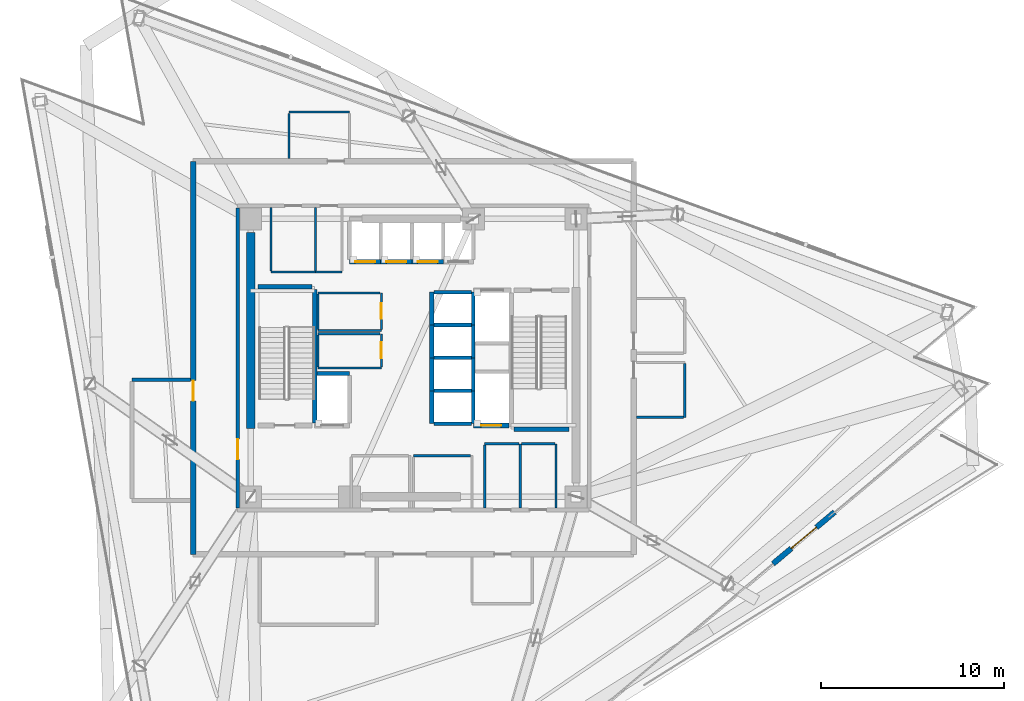
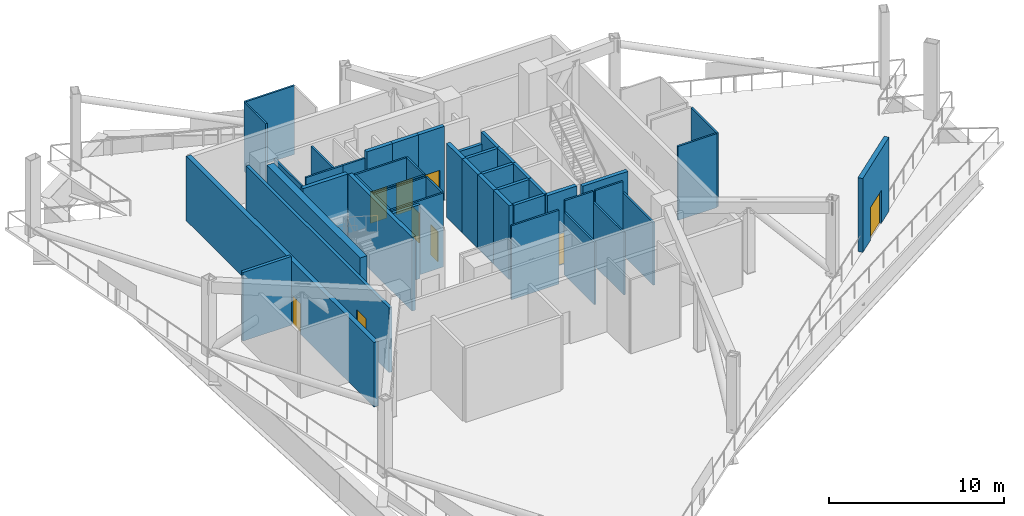
# One storey, part 7 of 15: 48 walls, 9 doors, 9 openings.
"""IFC4 building model written with IfcOpenShell, lengths in metres."""

from ifc_helpers import new_model, si_unit, direction, frame, frame_2d, origin, place, context, subcontext, project, spatial, rectangle, extrude, material, layer, layer_set, type_object, element, fill, save


model = new_model("IFC4")

# Units and contexts
model_context = context("Model", 3, precision=1e-05, world=origin(), true_north=direction((0.0, 1.0)))
body_context = subcontext(model_context, "Body", "Model", "MODEL_VIEW")
ifc_project = project(units=[si_unit("LENGTHUNIT", "METRE"), si_unit("AREAUNIT", "SQUARE_METRE"), si_unit("VOLUMEUNIT", "CUBIC_METRE"), si_unit("PLANEANGLEUNIT", "RADIAN"), si_unit("MASSUNIT", "GRAM", prefix="KILO")], contexts=[model_context])

# Site, building, storey
site_placement = place(None, origin())
site = spatial("IfcSite", under=ifc_project, at=site_placement, CompositionType="ELEMENT")
building_placement = place(site_placement, origin())
building = spatial("IfcBuilding", under=site, at=building_placement, Name="Tharavind Bronze Gate", CompositionType="ELEMENT")
storey_placement = place(building_placement, frame((0.0, 0.0, 165.14990234375)))
storey = spatial("IfcBuildingStorey", under=building, at=storey_placement, Name="L42", CompositionType="ELEMENT", Elevation=165.14990234375)

# Wall, opening, door
ifc_material_1 = material(Name="Concrete C40/50", Category="concrete")
ifc_layer_1 = layer(ifc_material_1, 0.300048828125)
ifc_layer_set_1 = layer_set([ifc_layer_1], Name="Concrete C40/50")
wall_type_1 = type_object("IfcWallType", Name="EXTERIOR SPANDREL WALL 300", PredefinedType="STANDARD", material=ifc_layer_set_1)
wall_1_placement = place(storey_placement, frame((-12.050048828125, 10.75, 0.0), z_axis=(0.0, 0.0, 1.0), x_axis=(0.0, -1.0, 0.0)))
wall_1 = element("IfcWall", 1, at=wall_1_placement, inside=storey, type_object=wall_type_1, Name="L42 open wind floor core enclosure wall 4", PredefinedType="STANDARD", context=body_context, shape_type="SweptSolid", body=[
    extrude(rectangle(XDim=21.5, YDim=0.300048828125, at=frame_2d((10.75, 0.0))), origin(), (0.0, 0.0, 1.0), 4.51513671875),
])
opening_1_placement = place(wall_1_placement, frame((12.0, 0.0, 0.0)))
opening_1 = element("IfcOpeningElement", 2, at=opening_1_placement, cuts=wall_1, Name="Opening ID01", PredefinedType="OPENING", context=body_context, shape_type="SweptSolid", body=[
    extrude(rectangle(XDim=1.10009765625, YDim=2.14990234375, at=frame_2d((0.550048828125, 1.074951171875))), frame((0.0, 0.15990234375, 0.0), z_axis=(0.0, -1.0, 0.0), x_axis=(1.0, 0.0, 0.0)), (0.0, 0.0, 1.0), 0.320048828125),
])
ifc_material_2 = material(Name="Fire-Rated Steel", Category="steel")
door_type_1 = type_object("IfcDoorType", Name="STAIR CORE FIRE DOOR 1100X2150", OperationType="SINGLE_SWING_LEFT", PredefinedType="DOOR", material=ifc_material_2)
door_1_placement = place(opening_1_placement, origin())
door_1 = element("IfcDoor", 3, at=door_1_placement, inside=storey, type_object=door_type_1, Name="L42 West Designated Area of Refuge door", OperationType="SINGLE_SWING_LEFT", OverallHeight=2.14990234375, OverallWidth=1.10009765625, PredefinedType="DOOR", context=body_context, shape_type="SweptSolid", body=[
    extrude(rectangle(XDim=1.10009765625, YDim=2.14990234375, at=frame_2d((0.550048828125, 1.074951171875))), frame((0.0, 0.02490234375, 0.0), z_axis=(0.0, -1.0, 0.0), x_axis=(1.0, 0.0, 0.0)), (0.0, 0.0, 1.0), 0.050048828125),
])
fill(opening_1, door_1)

wall_2_placement = place(storey_placement, frame((19.6767578125, -11.264404296875, 0.0), z_axis=(0.0, 0.0, 1.0), x_axis=(0.766033774262, 0.642800324121, 0.0)))
wall_2 = element("IfcWall", 4, at=wall_2_placement, inside=storey, type_object=wall_type_1, Name="L42 sky garden portal wall", PredefinedType="STANDARD", context=body_context, shape_type="SweptSolid", body=[
    extrude(rectangle(XDim=4.400146484375, YDim=0.300048828125, at=frame_2d((2.2001953125, 0.0))), origin(), (0.0, 0.0, 1.0), 5.170166015625),
])
opening_2_placement = place(wall_2_placement, frame((1.300048828125, 0.0, 0.0)))
opening_2 = element("IfcOpeningElement", 5, at=opening_2_placement, cuts=wall_2, Name="Opening ED03", PredefinedType="OPENING", context=body_context, shape_type="SweptSolid", body=[
    extrude(rectangle(XDim=1.800048828125, YDim=2.300048828125, at=frame_2d((0.89990234375, 1.14990234375))), frame((0.0, 0.15990234375, 0.0), z_axis=(0.0, -1.0, 0.0), x_axis=(1.0, 0.0, 0.0)), (0.0, 0.0, 1.0), 0.320048828125),
])
ifc_material_3 = material(Name="Bronze Aluminium & Toughened Glass", Category="aluminium")
door_type_2 = type_object("IfcDoorType", Name="GLAZED TERRACE ACCESS DOOR 1800X2300", OperationType="DOUBLE_DOOR_SINGLE_SWING", PredefinedType="DOOR", material=ifc_material_3)
door_2_placement = place(opening_2_placement, frame((1.800048828125, 0.0, 0.0), z_axis=(0.0, 0.0, 1.0), x_axis=(-1.0, 0.0, 0.0)))
door_2 = element("IfcDoor", 6, at=door_2_placement, inside=storey, type_object=door_type_2, Name="L42 setback sky garden terrace access door", OperationType="DOUBLE_DOOR_SINGLE_SWING", OverallHeight=2.300048828125, OverallWidth=1.800048828125, PredefinedType="DOOR", context=body_context, shape_type="SweptSolid", body=[
    extrude(rectangle(XDim=1.800048828125, YDim=2.300048828125, at=frame_2d((0.89990234375, 1.14990234375))), frame((0.0, 0.02490234375, 0.0), z_axis=(0.0, -1.0, 0.0), x_axis=(1.0, 0.0, 0.0)), (0.0, 0.0, 1.0), 0.050048828125),
])
fill(opening_2, door_2)

ifc_material_4 = material(Name="Aerated Concrete Block", Category="concrete")
ifc_layer_2 = layer(ifc_material_4, 0.199951171875)
ifc_layer_set_2 = layer_set([ifc_layer_2], Name="Aerated Concrete Block")
wall_type_2 = type_object("IfcWallType", Name="FIRE RATED PARTITION 200", PredefinedType="PARTITIONING", material=ifc_layer_set_2)
wall_3_placement = place(storey_placement, frame((-9.6201171875, 8.199951171875, 0.0), z_axis=(0.0, 0.0, 1.0), x_axis=(0.0, -1.0, 0.0)))
wall_3 = element("IfcWall", 7, at=wall_3_placement, inside=storey, type_object=wall_type_2, Name="L42 west core corridor wall", PredefinedType="PARTITIONING", context=body_context, shape_type="SweptSolid", body=[
    extrude(rectangle(XDim=16.39990234375, YDim=0.199951171875, at=frame_2d((8.199951171875, 0.0))), origin(), (0.0, 0.0, 1.0), 4.51513671875),
])
opening_3_placement = place(wall_3_placement, frame((12.64990234375, 0.0, 0.0)))
opening_3 = element("IfcOpeningElement", 8, at=opening_3_placement, cuts=wall_3, Name="Opening ID01", PredefinedType="OPENING", context=body_context, shape_type="SweptSolid", body=[
    extrude(rectangle(XDim=1.10009765625, YDim=2.14990234375, at=frame_2d((0.550048828125, 1.074951171875))), frame((0.0, 0.11009765625, 0.0), z_axis=(0.0, -1.0, 0.0), x_axis=(1.0, 0.0, 0.0)), (0.0, 0.0, 1.0), 0.219951171875),
])
door_3_placement = place(opening_3_placement, frame((1.10009765625, 0.0, 0.0), z_axis=(0.0, 0.0, 1.0), x_axis=(-1.0, 0.0, 0.0)))
door_3 = element("IfcDoor", 9, at=door_3_placement, inside=storey, type_object=door_type_1, Name="L42 south west stair lobby fire door", OperationType="SINGLE_SWING_LEFT", OverallHeight=2.14990234375, OverallWidth=1.10009765625, PredefinedType="DOOR", context=body_context, shape_type="SweptSolid", body=[
    extrude(rectangle(XDim=1.10009765625, YDim=2.14990234375, at=frame_2d((0.550048828125, 1.074951171875))), frame((0.0, 0.02490234375, 0.0), z_axis=(0.0, -1.0, 0.0), x_axis=(1.0, 0.0, 0.0)), (0.0, 0.0, 1.0), 0.050048828125),
])
fill(opening_3, door_3)

# Walls
wall_4_placement = place(storey_placement, frame((-15.39990234375, -1.199951171875, 0.0), z_axis=(0.0, 0.0, 1.0), x_axis=(1.0, 0.0, 0.0)))
element("IfcWall", 10, at=wall_4_placement, inside=storey, type_object=wall_type_2, Name="L42 West Designated Area of Refuge partition", PredefinedType="PARTITIONING", context=body_context, shape_type="SweptSolid", body=[
    extrude(rectangle(XDim=3.19482421875, YDim=0.199951171875, at=frame_2d((1.597412109375, 0.0))), origin(), (0.0, 0.0, 1.0), 4.80517578125),
])
ifc_material_5 = material(Name="Metal Stud Gypsum Partition", Category="gypsum")
ifc_layer_3 = layer(ifc_material_5, 0.1201171875)
ifc_layer_set_3 = layer_set([ifc_layer_3], Name="Metal Stud Gypsum Partition")
wall_type_3 = type_object("IfcWallType", Name="INTERIOR PARTITION WALL 120", PredefinedType="PARTITIONING", material=ifc_layer_set_3)
wall_5_placement = place(storey_placement, frame((-5.219970703125, 1.5, 0.0), z_axis=(0.0, 0.0, 1.0), x_axis=(1.0, 0.0, 0.0)))
element("IfcWall", 11, at=wall_5_placement, inside=storey, type_object=wall_type_3, Name="L42 Core MEP Switchgear Room partition 1", PredefinedType="PARTITIONING", context=body_context, shape_type="SweptSolid", body=[
    extrude(rectangle(XDim=3.469970703125, YDim=0.1201171875, at=frame_2d((1.73486328125, 0.0))), origin(), (0.0, 0.0, 1.0), 5.170166015625),
])

# Wall, opening, door
wall_6_placement = place(storey_placement, frame((-1.75, 1.56494140625, 0.0), z_axis=(0.0, 0.0, 1.0), x_axis=(0.0, 1.0, 0.0)))
wall_6 = element("IfcWall", 12, at=wall_6_placement, inside=storey, type_object=wall_type_3, Name="L42 Core MEP Switchgear Room partition 2", PredefinedType="PARTITIONING", context=body_context, shape_type="SweptSolid", body=[
    extrude(rectangle(XDim=1.985107421875, YDim=0.1201171875, at=frame_2d((0.99267578125, 0.0))), origin(), (0.0, 0.0, 1.0), 5.170166015625),
])
opening_4_placement = place(wall_6_placement, frame((0.56689453125, 0.0, 0.0)))
opening_4 = element("IfcOpeningElement", 13, at=opening_4_placement, cuts=wall_6, Name="Opening ID06", PredefinedType="OPENING", context=body_context, shape_type="SweptSolid", body=[
    extrude(rectangle(XDim=0.85009765625, YDim=2.10009765625, at=frame_2d((0.425048828125, 1.050048828125))), frame((0.0, 0.07005859375, 0.0), z_axis=(0.0, -1.0, 0.0), x_axis=(1.0, 0.0, 0.0)), (0.0, 0.0, 1.0), 0.1401171875),
])
ifc_material_6 = material(Name="Moisture-Resistant Timber", Category="wood")
door_type_3 = type_object("IfcDoorType", Name="BATHROOM PRIVACY DOOR 850X2100", OperationType="SINGLE_SWING_RIGHT", PredefinedType="DOOR", material=ifc_material_6)
door_4_placement = place(opening_4_placement, frame((0.85009765625, 0.0, 0.0), z_axis=(0.0, 0.0, 1.0), x_axis=(-1.0, 0.0, 0.0)))
door_4 = element("IfcDoor", 14, at=door_4_placement, inside=storey, type_object=door_type_3, Name="L42 Core MEP Switchgear Room door", OperationType="SINGLE_SWING_RIGHT", OverallHeight=2.10009765625, OverallWidth=0.85009765625, PredefinedType="DOOR", context=body_context, shape_type="SweptSolid", body=[
    extrude(rectangle(XDim=0.85009765625, YDim=2.10009765625, at=frame_2d((0.425048828125, 1.050048828125))), frame((0.0, 0.02490234375, 0.0), z_axis=(0.0, -1.0, 0.0), x_axis=(1.0, 0.0, 0.0)), (0.0, 0.0, 1.0), 0.050048828125),
])
fill(opening_4, door_4)

# Walls
wall_7_placement = place(storey_placement, frame((-1.81494140625, 3.550048828125, 0.0), z_axis=(0.0, 0.0, 1.0), x_axis=(-1.0, 0.0, 0.0)))
element("IfcWall", 15, at=wall_7_placement, inside=storey, type_object=wall_type_3, Name="L42 Core MEP Switchgear Room partition 3", PredefinedType="PARTITIONING", context=body_context, shape_type="SweptSolid", body=[
    extrude(rectangle(XDim=3.405029296875, YDim=0.1201171875, at=frame_2d((1.70263671875, 0.0))), origin(), (0.0, 0.0, 1.0), 5.170166015625),
])
wall_8_placement = place(storey_placement, frame((-5.219970703125, 3.485107421875, 0.0), z_axis=(0.0, 0.0, 1.0), x_axis=(0.0, -1.0, 0.0)))
element("IfcWall", 16, at=wall_8_placement, inside=storey, type_object=wall_type_3, Name="L42 Core MEP Switchgear Room partition 4", PredefinedType="PARTITIONING", context=body_context, shape_type="SweptSolid", body=[
    extrude(rectangle(XDim=1.920166015625, YDim=0.1201171875, at=frame_2d((0.9599609375, 0.0))), origin(), (0.0, 0.0, 1.0), 5.170166015625),
])
wall_9_placement = place(storey_placement, frame((-5.219970703125, -0.550048828125, 0.0), z_axis=(0.0, 0.0, 1.0), x_axis=(1.0, 0.0, 0.0)))
element("IfcWall", 17, at=wall_9_placement, inside=storey, type_object=wall_type_3, Name="L42 Core Mechanical Valve Plant partition 1", PredefinedType="PARTITIONING", context=body_context, shape_type="SweptSolid", body=[
    extrude(rectangle(XDim=3.469970703125, YDim=0.1201171875, at=frame_2d((1.73486328125, 0.0))), origin(), (0.0, 0.0, 1.0), 5.170166015625),
])

# Wall, opening, door
wall_10_placement = place(storey_placement, frame((-1.75, -0.485107421875, 0.0), z_axis=(0.0, 0.0, 1.0), x_axis=(0.0, 1.0, 0.0)))
wall_10 = element("IfcWall", 18, at=wall_10_placement, inside=storey, type_object=wall_type_3, Name="L42 Core Mechanical Valve Plant partition 2", PredefinedType="PARTITIONING", context=body_context, shape_type="SweptSolid", body=[
    extrude(rectangle(XDim=1.80517578125, YDim=0.1201171875, at=frame_2d((0.902587890625, 0.0))), origin(), (0.0, 0.0, 1.0), 5.170166015625),
])
opening_5_placement = place(wall_10_placement, frame((0.47802734375, 0.0, 0.0)))
opening_5 = element("IfcOpeningElement", 19, at=opening_5_placement, cuts=wall_10, Name="Opening ID06", PredefinedType="OPENING", context=body_context, shape_type="SweptSolid", body=[
    extrude(rectangle(XDim=0.85009765625, YDim=2.10009765625, at=frame_2d((0.425048828125, 1.050048828125))), frame((0.0, 0.07005859375, 0.0), z_axis=(0.0, -1.0, 0.0), x_axis=(1.0, 0.0, 0.0)), (0.0, 0.0, 1.0), 0.1401171875),
])
door_5_placement = place(opening_5_placement, frame((0.85009765625, 0.0, 0.0), z_axis=(0.0, 0.0, 1.0), x_axis=(-1.0, 0.0, 0.0)))
door_5 = element("IfcDoor", 20, at=door_5_placement, inside=storey, type_object=door_type_3, Name="L42 Core Mechanical Valve Plant door", OperationType="SINGLE_SWING_RIGHT", OverallHeight=2.10009765625, OverallWidth=0.85009765625, PredefinedType="DOOR", context=body_context, shape_type="SweptSolid", body=[
    extrude(rectangle(XDim=0.85009765625, YDim=2.10009765625, at=frame_2d((0.425048828125, 1.050048828125))), frame((0.0, 0.02490234375, 0.0), z_axis=(0.0, -1.0, 0.0), x_axis=(1.0, 0.0, 0.0)), (0.0, 0.0, 1.0), 0.050048828125),
])
fill(opening_5, door_5)

# Walls
wall_11_placement = place(storey_placement, frame((-1.81494140625, 1.320068359375, 0.0), z_axis=(0.0, 0.0, 1.0), x_axis=(-1.0, 0.0, 0.0)))
element("IfcWall", 21, at=wall_11_placement, inside=storey, type_object=wall_type_3, Name="L42 Core Mechanical Valve Plant partition 3", PredefinedType="PARTITIONING", context=body_context, shape_type="SweptSolid", body=[
    extrude(rectangle(XDim=3.405029296875, YDim=0.1201171875, at=frame_2d((1.70263671875, 0.0))), origin(), (0.0, 0.0, 1.0), 5.170166015625),
])
wall_12_placement = place(storey_placement, frame((-5.219970703125, 1.2548828125, 0.0), z_axis=(0.0, 0.0, 1.0), x_axis=(0.0, -1.0, 0.0)))
element("IfcWall", 22, at=wall_12_placement, inside=storey, type_object=wall_type_3, Name="L42 Core Mechanical Valve Plant partition 4", PredefinedType="PARTITIONING", context=body_context, shape_type="SweptSolid", body=[
    extrude(rectangle(XDim=1.739990234375, YDim=0.1201171875, at=frame_2d((0.8701171875, 0.0))), origin(), (0.0, 0.0, 1.0), 5.170166015625),
])
wall_13_placement = place(storey_placement, frame((3.135009765625, -5.35009765625, 0.0), z_axis=(0.0, 0.0, 1.0), x_axis=(-1.0, 0.0, 0.0)))
element("IfcWall", 23, at=wall_13_placement, inside=storey, type_object=wall_type_3, Name="L42 Core AHU Controls Plant Room partition 3", PredefinedType="PARTITIONING", context=body_context, shape_type="SweptSolid", body=[
    extrude(rectangle(XDim=3.135009765625, YDim=0.1201171875, at=frame_2d((1.5673828125, 0.0))), origin(), (0.0, 0.0, 1.0), 5.170166015625),
])
wall_14_placement = place(storey_placement, frame((-7.800048828125, 4.699951171875, 0.0), z_axis=(0.0, 0.0, 1.0), x_axis=(1.0, 0.0, 0.0)))
element("IfcWall", 24, at=wall_14_placement, inside=storey, type_object=wall_type_3, Name="L42 MEP Switchgear Room partition 1", PredefinedType="PARTITIONING", context=body_context, shape_type="SweptSolid", body=[
    extrude(rectangle(XDim=2.449951171875, YDim=0.1201171875, at=frame_2d((1.22509765625, 0.0))), origin(), (0.0, 0.0, 1.0), 5.170166015625),
])
for number, where, z_axis, x_axis, name in (
    (25, (-5.35009765625, 4.764892578125, 0.0), (0.0, 0.0, 1.0), (0.0, 1.0, 0.0), "L42 MEP Switchgear Room partition 2"),
    (26, (-7.800048828125, 8.215087890625, 0.0), (0.0, 0.0, 1.0), (0.0, -1.0, 0.0), "L42 MEP Switchgear Room partition 4"),
):
    element("IfcWall", number, at=place(storey_placement, frame(where, z_axis=z_axis, x_axis=x_axis)), inside=storey, type_object=wall_type_3, Name=name, PredefinedType="PARTITIONING", context=body_context, shape_type="SweptSolid", body=[
        extrude(rectangle(XDim=3.4501953125, YDim=0.1201171875, at=frame_2d((1.72509765625, 0.0))), origin(), (0.0, 0.0, 1.0), 4.364990234375),
    ])
wall_15_placement = place(storey_placement, frame((-5.35009765625, 4.699951171875, 0.0), z_axis=(0.0, 0.0, 1.0), x_axis=(1.0, 0.0, 0.0)))
element("IfcWall", 27, at=wall_15_placement, inside=storey, type_object=wall_type_3, Name="L42 Mechanical Riser Plant Room partition 1", PredefinedType="PARTITIONING", context=body_context, shape_type="SweptSolid", body=[
    extrude(rectangle(XDim=1.4501953125, YDim=0.1201171875, at=frame_2d((0.72509765625, 0.0))), origin(), (0.0, 0.0, 1.0), 5.170166015625),
])
wall_16_placement = place(storey_placement, frame((5.85009765625, -8.215087890625, 0.0), z_axis=(0.0, 0.0, 1.0), x_axis=(0.0, 1.0, 0.0)))
element("IfcWall", 28, at=wall_16_placement, inside=storey, type_object=wall_type_3, Name="L42 Fire Pump Switch Room partition 2", PredefinedType="PARTITIONING", context=body_context, shape_type="SweptSolid", body=[
    extrude(rectangle(XDim=3.51513671875, YDim=0.1201171875, at=frame_2d((1.757568359375, 0.0))), origin(), (0.0, 0.0, 1.0), 4.364990234375),
])
wall_17_placement = place(storey_placement, frame((5.784912109375, -4.699951171875, 0.0), z_axis=(0.0, 0.0, 1.0), x_axis=(-1.0, 0.0, 0.0)))
element("IfcWall", 29, at=wall_17_placement, inside=storey, type_object=wall_type_3, Name="L42 Fire Pump Switch Room partition 3", PredefinedType="PARTITIONING", context=body_context, shape_type="SweptSolid", body=[
    extrude(rectangle(XDim=1.885009765625, YDim=0.1201171875, at=frame_2d((0.9423828125, 0.0))), origin(), (0.0, 0.0, 1.0), 5.170166015625),
])
wall_18_placement = place(storey_placement, frame((3.89990234375, -4.764892578125, 0.0), z_axis=(0.0, 0.0, 1.0), x_axis=(0.0, -1.0, 0.0)))
element("IfcWall", 30, at=wall_18_placement, inside=storey, type_object=wall_type_3, Name="L42 Fire Pump Switch Room partition 4", PredefinedType="PARTITIONING", context=body_context, shape_type="SweptSolid", body=[
    extrude(rectangle(XDim=3.4501953125, YDim=0.1201171875, at=frame_2d((1.72509765625, 0.0))), origin(), (0.0, 0.0, 1.0), 4.364990234375),
])
wall_19_placement = place(storey_placement, frame((7.800048828125, -8.215087890625, 0.0), z_axis=(0.0, 0.0, 1.0), x_axis=(0.0, 1.0, 0.0)))
element("IfcWall", 31, at=wall_19_placement, inside=storey, type_object=wall_type_3, Name="L42 Break Water Tank Room partition 2", PredefinedType="PARTITIONING", context=body_context, shape_type="SweptSolid", body=[
    extrude(rectangle(XDim=3.51513671875, YDim=0.1201171875, at=frame_2d((1.757568359375, 0.0))), origin(), (0.0, 0.0, 1.0), 4.364990234375),
])
wall_20_placement = place(storey_placement, frame((7.735107421875, -4.699951171875, 0.0), z_axis=(0.0, 0.0, 1.0), x_axis=(-1.0, 0.0, 0.0)))
element("IfcWall", 32, at=wall_20_placement, inside=storey, type_object=wall_type_3, Name="L42 Break Water Tank Room partition 3", PredefinedType="PARTITIONING", context=body_context, shape_type="SweptSolid", body=[
    extrude(rectangle(XDim=1.820068359375, YDim=0.1201171875, at=frame_2d((0.91015625, 0.0))), origin(), (0.0, 0.0, 1.0), 5.170166015625),
])
wall_21_placement = place(storey_placement, frame((14.85009765625, -0.31494140625, 0.0), z_axis=(0.0, 0.0, 1.0), x_axis=(0.0, -1.0, 0.0)))
element("IfcWall", 33, at=wall_21_placement, inside=storey, type_object=wall_type_3, Name="L42 Pressurisation Mechanical Room partition", PredefinedType="PARTITIONING", context=body_context, shape_type="SweptSolid", body=[
    extrude(rectangle(XDim=2.93505859375, YDim=0.1201171875, at=frame_2d((1.467529296875, 0.0))), origin(), (0.0, 0.0, 1.0), 5.170166015625),
])
wall_22_placement = place(storey_placement, frame((14.784912109375, -3.25, 0.0), z_axis=(0.0, 0.0, 1.0), x_axis=(-1.0, 0.0, 0.0)))
element("IfcWall", 34, at=wall_22_placement, inside=storey, type_object=wall_type_3, Name="L42 Pressurisation Mechanical Room partition", PredefinedType="PARTITIONING", context=body_context, shape_type="SweptSolid", body=[
    extrude(rectangle(XDim=2.579833984375, YDim=0.1201171875, at=frame_2d((1.2900390625, 0.0))), origin(), (0.0, 0.0, 1.0), 5.170166015625),
])
wall_23_placement = place(storey_placement, frame((-6.800048828125, 13.449951171875, 0.0), z_axis=(0.0, 0.0, 1.0), x_axis=(1.0, 0.0, 0.0)))
element("IfcWall", 35, at=wall_23_placement, inside=storey, type_object=wall_type_3, Name="L42 Booster Pump Plant Room partition", PredefinedType="PARTITIONING", context=body_context, shape_type="SweptSolid", body=[
    extrude(rectangle(XDim=3.300048828125, YDim=0.1201171875, at=frame_2d((1.64990234375, 0.0))), origin(), (0.0, 0.0, 1.0), 4.80517578125),
])
wall_24_placement = place(storey_placement, frame((-6.800048828125, 10.905029296875, 0.0), z_axis=(0.0, 0.0, 1.0), x_axis=(0.0, 1.0, 0.0)))
element("IfcWall", 36, at=wall_24_placement, inside=storey, type_object=wall_type_3, Name="L42 Booster Pump Plant Room partition", PredefinedType="PARTITIONING", context=body_context, shape_type="SweptSolid", body=[
    extrude(rectangle(XDim=2.47998046875, YDim=0.1201171875, at=frame_2d((1.239990234375, 0.0))), origin(), (0.0, 0.0, 1.0), 4.80517578125),
])
ifc_material_7 = material(Name="Concrete C50/60", Category="concrete")
ifc_layer_4 = layer(ifc_material_7, 0.25)
ifc_layer_set_4 = layer_set([ifc_layer_4], Name="Concrete C50/60")
wall_type_4 = type_object("IfcWallType", Name="RC CORE SHEAR WALL 250", PredefinedType="SHEAR", material=ifc_layer_set_4)
wall_25_placement = place(storey_placement, frame((-5.39990234375, -3.550048828125, 0.0), z_axis=(0.0, 0.0, 1.0), x_axis=(0.0, 1.0, 0.0)))
element("IfcWall", 37, at=wall_25_placement, inside=storey, type_object=wall_type_4, Name="L42 ST1 shaft east wall", PredefinedType="SHEAR", context=body_context, shape_type="SweptSolid", body=[
    extrude(rectangle(XDim=7.300048828125, YDim=0.25, at=frame_2d((3.64990234375, 0.0))), origin(), (0.0, 0.0, 1.0), 5.170166015625),
])
wall_26_placement = place(storey_placement, frame((-8.5, 3.89990234375, 0.0), z_axis=(0.0, 0.0, 1.0), x_axis=(1.0, 0.0, 0.0)))
element("IfcWall", 38, at=wall_26_placement, inside=storey, type_object=wall_type_4, Name="L42 ST1 shaft north wall", PredefinedType="SHEAR", context=body_context, shape_type="SweptSolid", body=[
    extrude(rectangle(XDim=2.949951171875, YDim=0.25, at=frame_2d((1.47509765625, 0.0))), origin(), (0.0, 0.0, 1.0), 5.170166015625),
])
wall_27_placement = place(storey_placement, frame((5.5, -3.89990234375, 0.0), z_axis=(0.0, 0.0, 1.0), x_axis=(1.0, 0.0, 0.0)))
element("IfcWall", 39, at=wall_27_placement, inside=storey, type_object=wall_type_4, Name="L42 ST2 shaft south wall", PredefinedType="SHEAR", context=body_context, shape_type="SweptSolid", body=[
    extrude(rectangle(XDim=3.0, YDim=0.25, at=frame_2d((1.5, 0.0))), origin(), (0.0, 0.0, 1.0), 5.170166015625),
])

# Wall, opening, door
wall_28_placement = place(storey_placement, frame((-3.5, 5.25, 0.0), z_axis=(0.0, 0.0, 1.0), x_axis=(1.0, 0.0, 0.0)))
wall_28 = element("IfcWall", 40, at=wall_28_placement, inside=storey, type_object=wall_type_4, Name="L42 lift PL5 shaft front wall", PredefinedType="SHEAR", context=body_context, shape_type="SweptSolid", body=[
    extrude(rectangle(XDim=1.71240234375, YDim=0.25, at=frame_2d((0.856201171875, 0.0))), origin(), (0.0, 0.0, 1.0), 5.170166015625),
])
opening_6_placement = place(wall_28_placement, frame((0.305908203125, 0.0, 0.0)))
opening_6 = element("IfcOpeningElement", 41, at=opening_6_placement, cuts=wall_28, Name="Opening LD01", PredefinedType="OPENING", context=body_context, shape_type="SweptSolid", body=[
    extrude(rectangle(XDim=1.10009765625, YDim=2.199951171875, at=frame_2d((0.550048828125, 1.10009765625))), frame((0.0, 0.135, 0.0), z_axis=(0.0, -1.0, 0.0), x_axis=(1.0, 0.0, 0.0)), (0.0, 0.0, 1.0), 0.27),
])
ifc_material_8 = material(Name="Brushed Bronze Stainless Steel", Category="steel")
door_type_4 = type_object("IfcDoorType", Name="LIFT LANDING SLIDING DOOR 1100X2200", OperationType="SLIDING_TO_LEFT", PredefinedType="DOOR", material=ifc_material_8)
door_6_placement = place(opening_6_placement, origin())
door_6 = element("IfcDoor", 42, at=door_6_placement, inside=storey, type_object=door_type_4, Name="L42 lift PL5 sliding landing door", OperationType="SLIDING_TO_LEFT", OverallHeight=2.199951171875, OverallWidth=1.10009765625, PredefinedType="DOOR", context=body_context, shape_type="SweptSolid", body=[
    extrude(rectangle(XDim=1.10009765625, YDim=2.199951171875, at=frame_2d((0.550048828125, 1.10009765625))), frame((0.0, 0.02490234375, 0.0), z_axis=(0.0, -1.0, 0.0), x_axis=(1.0, 0.0, 0.0)), (0.0, 0.0, 1.0), 0.050048828125),
])
fill(opening_6, door_6)

wall_29_placement = place(storey_placement, frame((-1.78759765625, 5.25, 0.0), z_axis=(0.0, 0.0, 1.0), x_axis=(1.0, 0.0, 0.0)))
wall_29 = element("IfcWall", 43, at=wall_29_placement, inside=storey, type_object=wall_type_4, Name="L42 lift PL6 shaft front wall", PredefinedType="SHEAR", context=body_context, shape_type="SweptSolid", body=[
    extrude(rectangle(XDim=1.712646484375, YDim=0.25, at=frame_2d((0.8564453125, 0.0))), origin(), (0.0, 0.0, 1.0), 5.170166015625),
])
opening_7_placement = place(wall_29_placement, frame((0.305908203125, 0.0, 0.0)))
opening_7 = element("IfcOpeningElement", 44, at=opening_7_placement, cuts=wall_29, Name="Opening LD01", PredefinedType="OPENING", context=body_context, shape_type="SweptSolid", body=[
    extrude(rectangle(XDim=1.10009765625, YDim=2.199951171875, at=frame_2d((0.550048828125, 1.10009765625))), frame((0.0, 0.135, 0.0), z_axis=(0.0, -1.0, 0.0), x_axis=(1.0, 0.0, 0.0)), (0.0, 0.0, 1.0), 0.27),
])
door_7_placement = place(opening_7_placement, origin())
door_7 = element("IfcDoor", 45, at=door_7_placement, inside=storey, type_object=door_type_4, Name="L42 lift PL6 sliding landing door", OperationType="SLIDING_TO_LEFT", OverallHeight=2.199951171875, OverallWidth=1.10009765625, PredefinedType="DOOR", context=body_context, shape_type="SweptSolid", body=[
    extrude(rectangle(XDim=1.10009765625, YDim=2.199951171875, at=frame_2d((0.550048828125, 1.10009765625))), frame((0.0, 0.02490234375, 0.0), z_axis=(0.0, -1.0, 0.0), x_axis=(1.0, 0.0, 0.0)), (0.0, 0.0, 1.0), 0.050048828125),
])
fill(opening_7, door_7)

wall_30_placement = place(storey_placement, frame((-0.074951171875, 5.25, 0.0), z_axis=(0.0, 0.0, 1.0), x_axis=(1.0, 0.0, 0.0)))
wall_30 = element("IfcWall", 46, at=wall_30_placement, inside=storey, type_object=wall_type_4, Name="L42 lift PL7 shaft front wall", PredefinedType="SHEAR", context=body_context, shape_type="SweptSolid", body=[
    extrude(rectangle(XDim=1.71240234375, YDim=0.25, at=frame_2d((0.856201171875, 0.0))), origin(), (0.0, 0.0, 1.0), 5.170166015625),
])
opening_8_placement = place(wall_30_placement, frame((0.305908203125, 0.0, 0.0)))
opening_8 = element("IfcOpeningElement", 47, at=opening_8_placement, cuts=wall_30, Name="Opening LD01", PredefinedType="OPENING", context=body_context, shape_type="SweptSolid", body=[
    extrude(rectangle(XDim=1.10009765625, YDim=2.199951171875, at=frame_2d((0.550048828125, 1.10009765625))), frame((0.0, 0.135, 0.0), z_axis=(0.0, -1.0, 0.0), x_axis=(1.0, 0.0, 0.0)), (0.0, 0.0, 1.0), 0.27),
])
door_8_placement = place(opening_8_placement, origin())
door_8 = element("IfcDoor", 48, at=door_8_placement, inside=storey, type_object=door_type_4, Name="L42 lift PL7 sliding landing door", OperationType="SLIDING_TO_LEFT", OverallHeight=2.199951171875, OverallWidth=1.10009765625, PredefinedType="DOOR", context=body_context, shape_type="SweptSolid", body=[
    extrude(rectangle(XDim=1.10009765625, YDim=2.199951171875, at=frame_2d((0.550048828125, 1.10009765625))), frame((0.0, 0.02490234375, 0.0), z_axis=(0.0, -1.0, 0.0), x_axis=(1.0, 0.0, 0.0)), (0.0, 0.0, 1.0), 0.050048828125),
])
fill(opening_8, door_8)

# Walls
for number, where, z_axis, x_axis, name in (
    (49, (1.0, -3.60009765625, 0.0), (0.0, 0.0, 1.0), (0.0, 1.0, 0.0), "L42 lift PL9 shaft front wall"),
    (50, (1.0, -1.800048828125, 0.0), (0.0, 0.0, 1.0), (0.0, 1.0, 0.0), "L42 lift PL10 shaft front wall"),
    (51, (1.0, 0.0, 0.0), (0.0, 0.0, 1.0), (0.0, 1.0, 0.0), "L42 lift PL11 shaft front wall"),
    (52, (1.0, 1.800048828125, 0.0), (0.0, 0.0, 1.0), (0.0, 1.0, 0.0), "L42 lift PL12 shaft front wall"),
):
    element("IfcWall", number, at=place(storey_placement, frame(where, z_axis=z_axis, x_axis=x_axis)), inside=storey, type_object=wall_type_4, Name=name, PredefinedType="SHEAR", context=body_context, shape_type="SweptSolid", body=[
        extrude(rectangle(XDim=1.800048828125, YDim=0.25, at=frame_2d((0.89990234375, 0.0))), origin(), (0.0, 0.0, 1.0), 5.170166015625),
    ])

# Wall, opening, door
wall_31_placement = place(storey_placement, frame((3.280029296875, -3.699951171875, 0.0), z_axis=(0.0, 0.0, 1.0), x_axis=(1.0, 0.0, 0.0)))
wall_31 = element("IfcWall", 53, at=wall_31_placement, inside=storey, type_object=wall_type_4, Name="L42 lift SVL1 shaft front wall", PredefinedType="SHEAR", context=body_context, shape_type="SweptSolid", body=[
    extrude(rectangle(XDim=1.93994140625, YDim=0.25, at=frame_2d((0.969970703125, 0.0))), origin(), (0.0, 0.0, 1.0), 5.170166015625),
])
opening_9_placement = place(wall_31_placement, frame((0.419921875, 0.0, 0.0)))
opening_9 = element("IfcOpeningElement", 54, at=opening_9_placement, cuts=wall_31, Name="Opening LD01", PredefinedType="OPENING", context=body_context, shape_type="SweptSolid", body=[
    extrude(rectangle(XDim=1.10009765625, YDim=2.199951171875, at=frame_2d((0.550048828125, 1.10009765625))), frame((0.0, 0.135, 0.0), z_axis=(0.0, -1.0, 0.0), x_axis=(1.0, 0.0, 0.0)), (0.0, 0.0, 1.0), 0.27),
])
door_9_placement = place(opening_9_placement, origin())
door_9 = element("IfcDoor", 55, at=door_9_placement, inside=storey, type_object=door_type_4, Name="L42 lift SVL1 sliding landing door", OperationType="SLIDING_TO_LEFT", OverallHeight=2.199951171875, OverallWidth=1.10009765625, PredefinedType="DOOR", context=body_context, shape_type="SweptSolid", body=[
    extrude(rectangle(XDim=1.10009765625, YDim=2.199951171875, at=frame_2d((0.550048828125, 1.10009765625))), frame((0.0, 0.02490234375, 0.0), z_axis=(0.0, -1.0, 0.0), x_axis=(1.0, 0.0, 0.0)), (0.0, 0.0, 1.0), 0.050048828125),
])
fill(opening_9, door_9)

# Walls
ifc_material_9 = material(Name="Concrete C60/75", Category="concrete")
ifc_layer_5 = layer(ifc_material_9, 0.449951171875)
ifc_layer_set_5 = layer_set([ifc_layer_5], Name="Concrete C60/75")
wall_type_5 = type_object("IfcWallType", Name="RC CORE SHEAR WALL 450", PredefinedType="SHEAR", material=ifc_layer_set_5)
wall_32_placement = place(storey_placement, frame((-8.89990234375, -3.85009765625, 0.0), z_axis=(0.0, 0.0, 1.0), x_axis=(0.0, 1.0, 0.0)))
element("IfcWall", 56, at=wall_32_placement, inside=storey, type_object=wall_type_5, Name="L42 west core shear wall", PredefinedType="SHEAR", context=body_context, shape_type="SweptSolid", body=[
    extrude(rectangle(XDim=10.7001953125, YDim=0.449951171875, at=frame_2d((5.35009765625, 0.0))), origin(), (0.0, 0.0, 1.0), 5.170166015625),
])
ifc_layer_6 = layer(ifc_material_1, 0.199951171875)
ifc_layer_set_6 = layer_set([ifc_layer_6], Name="Concrete C40/50")
wall_type_6 = type_object("IfcWallType", Name="SHAFT ENCLOSURE WALL 200", PredefinedType="PARTITIONING", material=ifc_layer_set_6)
wall_33_placement = place(storey_placement, frame((3.280029296875, -3.60009765625, 0.0), z_axis=(0.0, 0.0, 1.0), x_axis=(0.0, 1.0, 0.0)))
element("IfcWall", 57, at=wall_33_placement, inside=storey, type_object=wall_type_6, Name="L42 lift PL9 shaft E enclosure wall", PredefinedType="PARTITIONING", context=body_context, shape_type="SweptSolid", body=[
    extrude(rectangle(XDim=1.800048828125, YDim=0.199951171875, at=frame_2d((0.89990234375, 0.0))), origin(), (0.0, 0.0, 1.0), 5.170166015625),
])
for number, where, z_axis, x_axis, name in (
    (58, (1.1298828125, -3.60009765625, 0.0), (0.0, 0.0, 1.0), (1.0, 0.0, 0.0), "L42 lift PL9 shaft S enclosure wall"),
    (59, (1.1298828125, -1.800048828125, 0.0), (0.0, 0.0, 1.0), (1.0, 0.0, 0.0), "L42 lift PL9 shaft N enclosure wall"),
):
    element("IfcWall", number, at=place(storey_placement, frame(where, z_axis=z_axis, x_axis=x_axis)), inside=storey, type_object=wall_type_6, Name=name, PredefinedType="PARTITIONING", context=body_context, shape_type="SweptSolid", body=[
        extrude(rectangle(XDim=2.045166015625, YDim=0.199951171875, at=frame_2d((1.0224609375, 0.0))), origin(), (0.0, 0.0, 1.0), 5.170166015625),
    ])
wall_34_placement = place(storey_placement, frame((3.280029296875, -1.800048828125, 0.0), z_axis=(0.0, 0.0, 1.0), x_axis=(0.0, 1.0, 0.0)))
element("IfcWall", 60, at=wall_34_placement, inside=storey, type_object=wall_type_6, Name="L42 lift PL10 shaft E enclosure wall", PredefinedType="PARTITIONING", context=body_context, shape_type="SweptSolid", body=[
    extrude(rectangle(XDim=1.800048828125, YDim=0.199951171875, at=frame_2d((0.89990234375, 0.0))), origin(), (0.0, 0.0, 1.0), 5.170166015625),
])
wall_35_placement = place(storey_placement, frame((1.1298828125, 0.0, 0.0), z_axis=(0.0, 0.0, 1.0), x_axis=(1.0, 0.0, 0.0)))
element("IfcWall", 61, at=wall_35_placement, inside=storey, type_object=wall_type_6, Name="L42 lift PL10 shaft N enclosure wall", PredefinedType="PARTITIONING", context=body_context, shape_type="SweptSolid", body=[
    extrude(rectangle(XDim=2.045166015625, YDim=0.199951171875, at=frame_2d((1.0224609375, 0.0))), origin(), (0.0, 0.0, 1.0), 5.170166015625),
])
wall_36_placement = place(storey_placement, frame((3.280029296875, 0.0, 0.0), z_axis=(0.0, 0.0, 1.0), x_axis=(0.0, 1.0, 0.0)))
element("IfcWall", 62, at=wall_36_placement, inside=storey, type_object=wall_type_6, Name="L42 lift PL11 shaft E enclosure wall", PredefinedType="PARTITIONING", context=body_context, shape_type="SweptSolid", body=[
    extrude(rectangle(XDim=1.800048828125, YDim=0.199951171875, at=frame_2d((0.89990234375, 0.0))), origin(), (0.0, 0.0, 1.0), 5.170166015625),
])
wall_37_placement = place(storey_placement, frame((1.1298828125, 1.800048828125, 0.0), z_axis=(0.0, 0.0, 1.0), x_axis=(1.0, 0.0, 0.0)))
element("IfcWall", 63, at=wall_37_placement, inside=storey, type_object=wall_type_6, Name="L42 lift PL11 shaft N enclosure wall", PredefinedType="PARTITIONING", context=body_context, shape_type="SweptSolid", body=[
    extrude(rectangle(XDim=2.045166015625, YDim=0.199951171875, at=frame_2d((1.0224609375, 0.0))), origin(), (0.0, 0.0, 1.0), 5.170166015625),
])
wall_38_placement = place(storey_placement, frame((3.280029296875, 1.800048828125, 0.0), z_axis=(0.0, 0.0, 1.0), x_axis=(0.0, 1.0, 0.0)))
element("IfcWall", 64, at=wall_38_placement, inside=storey, type_object=wall_type_6, Name="L42 lift PL12 shaft E enclosure wall", PredefinedType="PARTITIONING", context=body_context, shape_type="SweptSolid", body=[
    extrude(rectangle(XDim=1.800048828125, YDim=0.199951171875, at=frame_2d((0.89990234375, 0.0))), origin(), (0.0, 0.0, 1.0), 5.170166015625),
])
wall_39_placement = place(storey_placement, frame((1.1298828125, 3.60009765625, 0.0), z_axis=(0.0, 0.0, 1.0), x_axis=(1.0, 0.0, 0.0)))
element("IfcWall", 65, at=wall_39_placement, inside=storey, type_object=wall_type_6, Name="L42 lift PL12 shaft N enclosure wall", PredefinedType="PARTITIONING", context=body_context, shape_type="SweptSolid", body=[
    extrude(rectangle(XDim=2.045166015625, YDim=0.199951171875, at=frame_2d((1.0224609375, 0.0))), origin(), (0.0, 0.0, 1.0), 4.364990234375),
])
wall_40_placement = place(storey_placement, frame((-5.27001953125, -0.85009765625, 0.0), z_axis=(0.0, 0.0, 1.0), x_axis=(1.0, 0.0, 0.0)))
element("IfcWall", 66, at=wall_40_placement, inside=storey, type_object=wall_type_6, Name="L42 lift FFL1 shaft N enclosure wall", PredefinedType="PARTITIONING", context=body_context, shape_type="SweptSolid", body=[
    extrude(rectangle(XDim=1.77001953125, YDim=0.199951171875, at=frame_2d((0.885009765625, 0.0))), origin(), (0.0, 0.0, 1.0), 5.170166015625),
])

save(model, "model.ifc")
